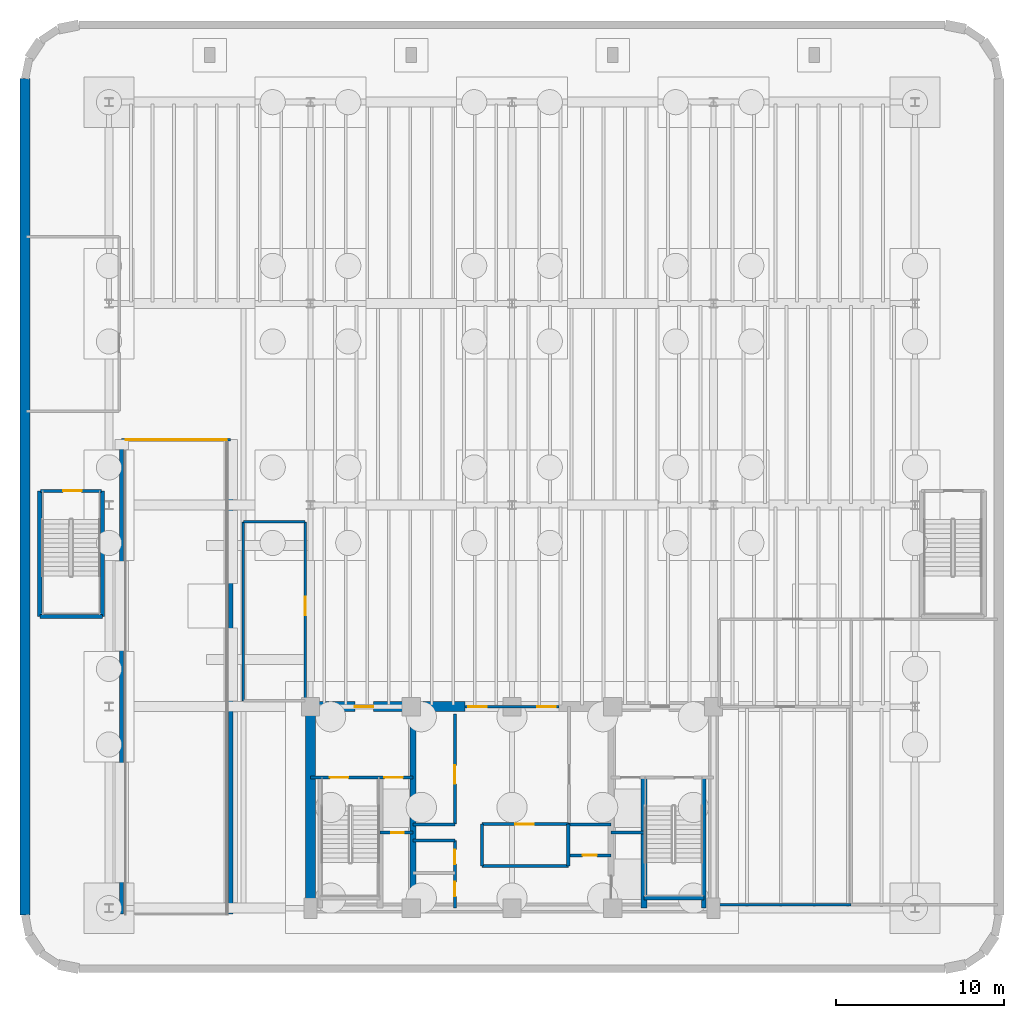
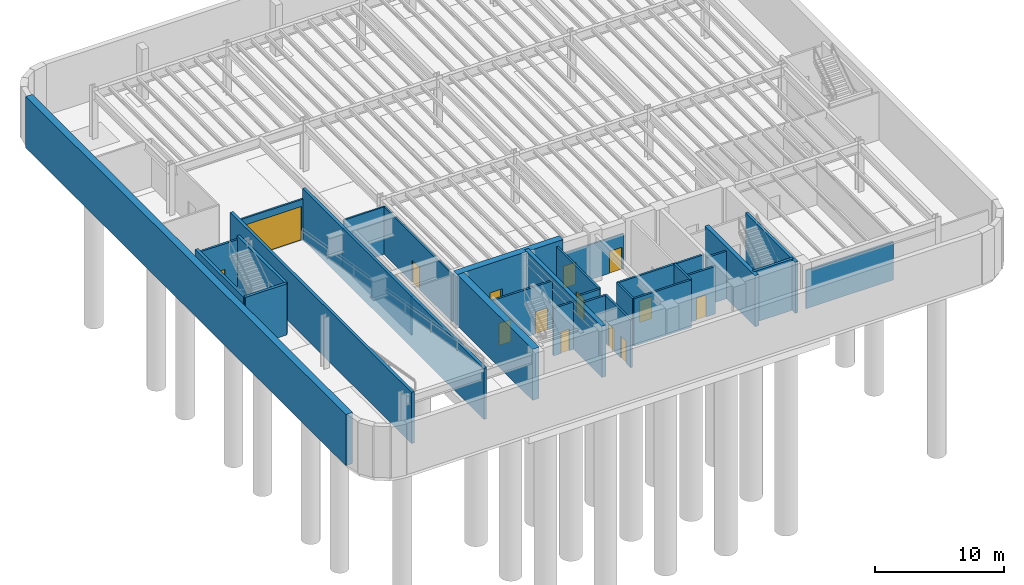
# One storey, part 4 of 9: 32 walls, 14 doors, 14 openings.
"""IFC4 building model written with IfcOpenShell, lengths in metres."""

from ifc_helpers import new_model, si_unit, direction, frame, frame_2d, origin, origin_2d, place, context, subcontext, project, spatial, rectangle, extrude, source, transform, mapped, material, layer, layer_set, type_object, element, fill, save


model = new_model("IFC4")

# Units and contexts
model_context = context("Model", 3, precision=1e-05, world=origin(), true_north=direction((0.0, 1.0)))
body_context = subcontext(model_context, "Body", "Model", "MODEL_VIEW")
ifc_project = project(units=[si_unit("LENGTHUNIT", "METRE"), si_unit("AREAUNIT", "SQUARE_METRE"), si_unit("VOLUMEUNIT", "CUBIC_METRE"), si_unit("PLANEANGLEUNIT", "RADIAN"), si_unit("MASSUNIT", "GRAM", prefix="KILO")], contexts=[model_context])

# Site, building, storey
site_placement = place(None, origin())
site = spatial("IfcSite", under=ifc_project, at=site_placement, CompositionType="ELEMENT")
building_placement = place(site_placement, origin())
building = spatial("IfcBuilding", under=site, at=building_placement, Name="Brelvock Crest Care Tower", CompositionType="ELEMENT")
storey_placement = place(building_placement, frame((0.0, 0.0, -4.860107421875)))
storey = spatial("IfcBuildingStorey", under=building, at=storey_placement, Name="B1", CompositionType="ELEMENT", Elevation=-4.860107421875)

# Wall
ifc_material_1 = material(Name="Concrete S80 (80 MPa)", Category="concrete")
ifc_layer_1 = layer(ifc_material_1, 0.60009765625, Name="WL-CS1")
ifc_layer_set_1 = layer_set([ifc_layer_1], Name="Concrete S80 (80 MPa)")
wall_type_1 = type_object("IfcWallType", Name="WL-CS1", PredefinedType="SHEAR", material=ifc_layer_set_1)
wall_1_placement = place(storey_placement, frame((24.0, 6.0, 0.0), z_axis=(0.0, 0.0, 1.0), x_axis=(0.0, 1.0, 0.0)))
element("IfcWall", 1, at=wall_1_placement, inside=storey, type_object=wall_type_1, Name="B1 Core West Shear Wall", PredefinedType="SHEAR", context=body_context, shape_type="SweptSolid", body=[
    extrude(rectangle(XDim=12.0, YDim=0.60009765625, at=frame_2d((6.0, 0.0))), origin(), (0.0, 0.0, 1.0), 4.860107421875),
])

# Wall, opening, door
wall_2_placement = place(storey_placement, frame((23.699951171875, 18.0, 0.0), z_axis=(0.0, 0.0, 1.0), x_axis=(1.0, 0.0, 0.0)))
wall_2 = element("IfcWall", 2, at=wall_2_placement, inside=storey, type_object=wall_type_1, Name="B1 Core North-West Shear Wall", PredefinedType="SHEAR", context=body_context, shape_type="SweptSolid", body=[
    extrude(rectangle(XDim=9.5, YDim=0.60009765625, at=frame_2d((4.75, 0.0))), origin(), (0.0, 0.0, 1.0), 4.860107421875),
])
opening_1_placement = place(wall_2_placement, frame((2.949951171875, 0.0, 0.0)))
opening_1 = element("IfcOpeningElement", 3, at=opening_1_placement, cuts=wall_2, Name="Opening FD-1", PredefinedType="OPENING", context=body_context, shape_type="SweptSolid", body=[
    extrude(rectangle(XDim=1.10009765625, YDim=2.10009765625, at=origin_2d()), frame((0.550048828125, 0.31005859375, 1.050048828125), z_axis=(0.0, -1.0, 0.0), x_axis=(1.0, 0.0, 0.0)), (0.0, 0.0, 1.0), 0.6201171875),
])
ifc_material_2 = material(Name="Steel Grade 350", Category="steel")
door_type_1 = type_object("IfcDoorType", Name="DR-FFL1", OperationType="NOTDEFINED", PredefinedType="DOOR", material=ifc_material_2)
shared_shape_1 = source(origin(), body_context, "Body", "SweptSolid", [
    extrude(rectangle(XDim=1.10009765625, YDim=2.10009765625, at=origin_2d()), frame((0.550048828125, 0.02490234375, 1.050048828125), z_axis=(0.0, -1.0, 0.0), x_axis=(1.0, 0.0, 0.0)), (0.0, 0.0, 1.0), 0.050048828125),
])
door_1_placement = place(opening_1_placement, origin())
door_1 = element("IfcDoor", 4, at=door_1_placement, inside=storey, type_object=door_type_1, Name="B1 Firefighting Lobby FFL-1 Exit Door", OperationType="SINGLE_SWING_LEFT", OverallHeight=2.10009765625, OverallWidth=1.10009765625, PredefinedType="DOOR", context=body_context, shape_type="MappedRepresentation", body=[
    mapped(shared_shape_1, transform((0.0, 0.0, 0.0), x_axis=(1.0, 0.0, 0.0), y_axis=(0.0, 1.0, 0.0), z_axis=(0.0, 0.0, 1.0), scale=1.0)),
])
fill(opening_1, door_1)

# Walls
ifc_layer_2 = layer(ifc_material_1, 0.35009765625, Name="WL-CS5")
ifc_layer_set_2 = layer_set([ifc_layer_2], Name="Concrete S80 (80 MPa)")
wall_type_2 = type_object("IfcWallType", Name="WL-CS5", PredefinedType="SHEAR", material=ifc_layer_set_2)
wall_3_placement = place(storey_placement, frame((30.10009765625, 6.0, 0.0), z_axis=(0.0, 0.0, 1.0), x_axis=(0.0, 1.0, 0.0)))
element("IfcWall", 5, at=wall_3_placement, inside=storey, type_object=wall_type_2, Name="B1 Core Internal Web Wall West", PredefinedType="SHEAR", context=body_context, shape_type="SweptSolid", body=[
    extrude(rectangle(XDim=12.0, YDim=0.35009765625, at=frame_2d((6.0, 0.0))), origin(), (0.0, 0.0, 1.0), 4.860107421875),
])
wall_4_placement = place(storey_placement, frame((43.85009765625, 6.0, 0.0), z_axis=(0.0, 0.0, 1.0), x_axis=(0.0, 1.0, 0.0)))
element("IfcWall", 6, at=wall_4_placement, inside=storey, type_object=wall_type_2, Name="B1 Core Stair ST-2 West Shear Wall", PredefinedType="SHEAR", context=body_context, shape_type="SweptSolid", body=[
    extrude(rectangle(XDim=7.780029296875, YDim=0.35009765625, at=frame_2d((3.89013671875, 0.0))), origin(), (0.0, 0.0, 1.0), 4.860107421875),
])
ifc_layer_3 = layer(ifc_material_1, 0.25, Name="WL-CS6")
ifc_layer_set_3 = layer_set([ifc_layer_3], Name="Concrete S80 (80 MPa)")
wall_type_3 = type_object("IfcWallType", Name="WL-CS6", PredefinedType="SHEAR", material=ifc_layer_set_3)
for number, where, z_axis, x_axis, name in (
    (7, (12.75, 5.639892578125, 0.0), (0.0, 0.0, 1.0), (0.0, 1.0, 0.0), "B1 Vehicle Ramp West Supporting Wall"),
    (8, (19.25, 5.639892578125, 0.0), (0.0, 0.0, 1.0), (0.0, 1.0, 0.0), "B1 Vehicle Ramp East Supporting Wall"),
):
    element("IfcWall", number, at=place(storey_placement, frame(where, z_axis=z_axis, x_axis=x_axis)), inside=storey, type_object=wall_type_3, Name=name, PredefinedType="SHEAR", context=body_context, shape_type="SweptSolid", body=[
        extrude(rectangle(XDim=28.210205078125, YDim=0.25, at=frame_2d((14.10498046875, 0.0))), origin(), (0.0, 0.0, 1.0), 4.860107421875),
    ])
wall_5_placement = place(storey_placement, frame((7.8798828125, 23.3798828125, 0.0), z_axis=(0.0, 0.0, 1.0), x_axis=(1.0, 0.0, 0.0)))
element("IfcWall", 9, at=wall_5_placement, inside=storey, type_object=wall_type_3, Name="B1 Podium Stair ST-3 South Shear Wall", PredefinedType="SHEAR", context=body_context, shape_type="SweptSolid", body=[
    extrude(rectangle(XDim=3.740234375, YDim=0.25, at=frame_2d((1.8701171875, 0.0))), origin(), (0.0, 0.0, 1.0), 4.860107421875),
])
for number, where, z_axis, x_axis, name in (
    (10, (7.8798828125, 23.3798828125, 0.0), (0.0, 0.0, 1.0), (0.0, 1.0, 0.0), "B1 Podium Stair ST-3 West Shear Wall"),
    (11, (11.6201171875, 23.3798828125, 0.0), (0.0, 0.0, 1.0), (0.0, 1.0, 0.0), "B1 Podium Stair ST-3 East Shear Wall"),
):
    element("IfcWall", number, at=place(storey_placement, frame(where, z_axis=z_axis, x_axis=x_axis)), inside=storey, type_object=wall_type_3, Name=name, PredefinedType="SHEAR", context=body_context, shape_type="SweptSolid", body=[
        extrude(rectangle(XDim=7.47021484375, YDim=0.25, at=frame_2d((3.735107421875, 0.0))), origin(), (0.0, 0.0, 1.0), 4.860107421875),
    ])
wall_6_placement = place(storey_placement, frame((47.419921875, 6.0, 0.0), z_axis=(0.0, 0.0, 1.0), x_axis=(0.0, 1.0, 0.0)))
element("IfcWall", 12, at=wall_6_placement, inside=storey, type_object=wall_type_3, Name="B1 Core Stair ST-2 East Shear Wall", PredefinedType="SHEAR", context=body_context, shape_type="SweptSolid", body=[
    extrude(rectangle(XDim=7.780029296875, YDim=0.25, at=frame_2d((3.89013671875, 0.0))), origin(), (0.0, 0.0, 1.0), 4.860107421875),
])
wall_7_placement = place(storey_placement, frame((43.85009765625, 6.6201171875, 0.0), z_axis=(0.0, 0.0, 1.0), x_axis=(1.0, 0.0, 0.0)))
element("IfcWall", 13, at=wall_7_placement, inside=storey, type_object=wall_type_3, Name="B1 Core Stair ST-2 South Shear Wall", PredefinedType="SHEAR", context=body_context, shape_type="SweptSolid", body=[
    extrude(rectangle(XDim=3.56982421875, YDim=0.25, at=frame_2d((1.784912109375, 0.0))), origin(), (0.0, 0.0, 1.0), 4.860107421875),
])

# Wall, opening, door
ifc_material_3 = material(Name="Masonry Blockwork Acoustic Partition", Category="masonry")
ifc_layer_4 = layer(ifc_material_3, 0.14990234375, Name="WL-INT1")
ifc_layer_set_4 = layer_set([ifc_layer_4], Name="Masonry Blockwork Acoustic Partition")
wall_type_4 = type_object("IfcWallType", Name="WL-INT1", PredefinedType="PARTITIONING", material=ifc_layer_set_4)
wall_8_placement = place(storey_placement, frame((12.75, 33.89990234375, 0.0), z_axis=(0.0, 0.0, 1.0), x_axis=(1.0, 0.0, 0.0)))
wall_8 = element("IfcWall", 14, at=wall_8_placement, inside=storey, type_object=wall_type_4, Name="B1 Car Park Ramp Entry Portal Wall", PredefinedType="PARTITIONING", context=body_context, shape_type="SweptSolid", body=[
    extrude(rectangle(XDim=6.5, YDim=0.159912109375, at=frame_2d((3.25, 0.0))), origin(), (0.0, 0.0, 1.0), 3.85009765625),
])
opening_2_placement = place(wall_8_placement, frame((0.25, 0.0, 0.0)))
opening_2 = element("IfcOpeningElement", 15, at=opening_2_placement, cuts=wall_8, Name="Opening VD2", PredefinedType="OPENING", context=body_context, shape_type="SweptSolid", body=[
    extrude(rectangle(XDim=6.0, YDim=3.199951171875, at=origin_2d()), frame((3.0, 0.08984375, 1.60009765625), z_axis=(0.0, -1.0, 0.0), x_axis=(1.0, 0.0, 0.0)), (0.0, 0.0, 1.0), 0.179931640625),
])
ifc_material_4 = material(Name="Aluminium 6063-T6", Category="aluminium")
door_type_2 = type_object("IfcDoorType", Name="DR-VD2", OperationType="NOTDEFINED", PredefinedType="GATE", material=ifc_material_4)
shared_shape_2 = source(origin(), body_context, "Body", "SweptSolid", [
    extrude(rectangle(XDim=6.0, YDim=3.199951171875, at=origin_2d()), frame((3.0, 0.02490234375, 1.60009765625), z_axis=(0.0, -1.0, 0.0), x_axis=(1.0, 0.0, 0.0)), (0.0, 0.0, 1.0), 0.050048828125),
])
door_2_placement = place(opening_2_placement, origin())
door_2 = element("IfcDoor", 16, at=door_2_placement, inside=storey, type_object=door_type_2, Name="B1 Car Park Entry Roller Shutter Gate VD2", OperationType="ROLLINGUP", OverallHeight=3.199951171875, OverallWidth=6.0, PredefinedType="GATE", context=body_context, shape_type="MappedRepresentation", body=[
    mapped(shared_shape_2, transform((0.0, 0.0, 0.0), x_axis=(1.0, 0.0, 0.0), y_axis=(0.0, 1.0, 0.0), z_axis=(0.0, 0.0, 1.0), scale=1.0)),
])
fill(opening_2, door_2)

# Wall, openings, doors
wall_9_placement = place(storey_placement, frame((33.199951171875, 18.0, 0.0), z_axis=(0.0, 0.0, 1.0), x_axis=(1.0, 0.0, 0.0)))
wall_9 = element("IfcWall", 17, at=wall_9_placement, inside=storey, type_object=wall_type_4, Name="B1 Interior Wall WL-CORE-NPORT-B1", PredefinedType="PARTITIONING", context=body_context, shape_type="SweptSolid", body=[
    extrude(rectangle(XDim=5.60009765625, YDim=0.14990234375, at=frame_2d((2.800048828125, 0.0))), origin(), (0.0, 0.0, 1.0), 3.3251953125),
])
opening_3_placement = place(wall_9_placement, frame((0.18994140625, 0.0, 0.0)))
opening_3 = element("IfcOpeningElement", 18, at=opening_3_placement, cuts=wall_9, Name="Opening FD-1", PredefinedType="OPENING", context=body_context, shape_type="SweptSolid", body=[
    extrude(rectangle(XDim=1.10009765625, YDim=2.10009765625, at=origin_2d()), frame((0.550048828125, 0.0849609375, 1.050048828125), z_axis=(0.0, -1.0, 0.0), x_axis=(1.0, 0.0, 0.0)), (0.0, 0.0, 1.0), 0.169921875),
])
opening_4_placement = place(wall_9_placement, frame((4.31005859375, 0.0, 0.0)))
opening_4 = element("IfcOpeningElement", 19, at=opening_4_placement, cuts=wall_9, Name="Opening FD-1", PredefinedType="OPENING", context=body_context, shape_type="SweptSolid", body=[
    extrude(rectangle(XDim=1.10009765625, YDim=2.10009765625, at=origin_2d()), frame((0.550048828125, 0.0849609375, 1.050048828125), z_axis=(0.0, -1.0, 0.0), x_axis=(1.0, 0.0, 0.0)), (0.0, 0.0, 1.0), 0.169921875),
])
door_3_placement = place(opening_3_placement, origin())
door_3 = element("IfcDoor", 20, at=door_3_placement, inside=storey, type_object=door_type_1, Name="B1 Lift Lobby North Smoke Door West", OperationType="SINGLE_SWING_LEFT", OverallHeight=2.10009765625, OverallWidth=1.10009765625, PredefinedType="DOOR", context=body_context, shape_type="MappedRepresentation", body=[
    mapped(shared_shape_1, transform((0.0, 0.0, 0.0), x_axis=(1.0, 0.0, 0.0), y_axis=(0.0, 1.0, 0.0), z_axis=(0.0, 0.0, 1.0), scale=1.0)),
])
fill(opening_3, door_3)
door_4_placement = place(opening_4_placement, origin())
door_4 = element("IfcDoor", 21, at=door_4_placement, inside=storey, type_object=door_type_1, Name="B1 Lift Lobby North Smoke Door East", OperationType="SINGLE_SWING_RIGHT", OverallHeight=2.10009765625, OverallWidth=1.10009765625, PredefinedType="DOOR", context=body_context, shape_type="MappedRepresentation", body=[
    mapped(shared_shape_1, transform((0.0, 0.0, 0.0), x_axis=(1.0, 0.0, 0.0), y_axis=(0.0, 1.0, 0.0), z_axis=(0.0, 0.0, 1.0), scale=1.0)),
])
fill(opening_4, door_4)

# Walls
wall_10_placement = place(storey_placement, frame((48.35009765625, 6.199951171875, 0.0), z_axis=(0.0, 0.0, 1.0), x_axis=(1.0, 0.0, 0.0)))
element("IfcWall", 22, at=wall_10_placement, inside=storey, type_object=wall_type_4, Name="B1 Interior Wall WL-BX-B1-B1-SWB-S", PredefinedType="PARTITIONING", context=body_context, shape_type="SweptSolid", body=[
    extrude(rectangle(XDim=7.849853515625, YDim=0.14990234375, at=frame_2d((3.9248046875, 0.0))), origin(), (0.0, 0.0, 1.0), 3.625),
])
wall_11_placement = place(storey_placement, frame((20.0, 29.0, 0.0), z_axis=(0.0, 0.0, 1.0), x_axis=(1.0, 0.0, 0.0)))
element("IfcWall", 23, at=wall_11_placement, inside=storey, type_object=wall_type_4, Name="B1 Interior Wall WL-BX-B1-B1-CYC-N", PredefinedType="PARTITIONING", context=body_context, shape_type="SweptSolid", body=[
    extrude(rectangle(XDim=3.679931640625, YDim=0.14990234375, at=frame_2d((1.83984375, 0.0))), origin(), (0.0, 0.0, 1.0), 4.510009765625),
])
wall_12_placement = place(storey_placement, frame((20.0, 18.35009765625, 0.0), z_axis=(0.0, 0.0, 1.0), x_axis=(0.0, 1.0, 0.0)))
element("IfcWall", 24, at=wall_12_placement, inside=storey, type_object=wall_type_4, Name="B1 Interior Wall WL-BX-B1-B1-CYC-W", PredefinedType="PARTITIONING", context=body_context, shape_type="SweptSolid", body=[
    extrude(rectangle(XDim=10.64990234375, YDim=0.14990234375, at=frame_2d((5.324951171875, 0.0))), origin(), (0.0, 0.0, 1.0), 3.72509765625),
])

# Wall, opening, door
wall_13_placement = place(storey_placement, frame((23.679931640625, 18.35009765625, 0.0), z_axis=(0.0, 0.0, 1.0), x_axis=(0.0, 1.0, 0.0)))
wall_13 = element("IfcWall", 25, at=wall_13_placement, inside=storey, type_object=wall_type_4, Name="B1 Interior Wall WL-RM-B1-B1-CYC", PredefinedType="PARTITIONING", context=body_context, shape_type="SweptSolid", body=[
    extrude(rectangle(XDim=10.64990234375, YDim=0.14990234375, at=frame_2d((5.324951171875, 0.0))), origin(), (0.0, 0.0, 1.0), 4.510009765625),
])
opening_5_placement = place(wall_13_placement, frame((5.10009765625, 0.0, 0.0)))
opening_5 = element("IfcOpeningElement", 26, at=opening_5_placement, cuts=wall_13, Name="Opening PD-1", PredefinedType="OPENING", context=body_context, shape_type="SweptSolid", body=[
    extrude(rectangle(XDim=1.10009765625, YDim=2.10009765625, at=origin_2d()), frame((0.550048828125, 0.0849609375, 1.050048828125), z_axis=(0.0, -1.0, 0.0), x_axis=(1.0, 0.0, 0.0)), (0.0, 0.0, 1.0), 0.169921875),
])
door_type_3 = type_object("IfcDoorType", Name="DR-PLT1", OperationType="NOTDEFINED", PredefinedType="DOOR", material=ifc_material_2)
shared_shape_3 = source(origin(), body_context, "Body", "SweptSolid", [
    extrude(rectangle(XDim=1.10009765625, YDim=2.10009765625, at=origin_2d()), frame((0.550048828125, 0.02490234375, 1.050048828125), z_axis=(0.0, -1.0, 0.0), x_axis=(1.0, 0.0, 0.0)), (0.0, 0.0, 1.0), 0.050048828125),
])
door_5_placement = place(opening_5_placement, origin())
door_5 = element("IfcDoor", 27, at=door_5_placement, inside=storey, type_object=door_type_3, Name="B1 Staff End-of-Trip Bicycle Store and Showers Door B1-CYC", OperationType="SINGLE_SWING_LEFT", OverallHeight=2.10009765625, OverallWidth=1.10009765625, PredefinedType="DOOR", context=body_context, shape_type="MappedRepresentation", body=[
    mapped(shared_shape_3, transform((0.0, 0.0, 0.0), x_axis=(1.0, 0.0, 0.0), y_axis=(0.0, 1.0, 0.0), z_axis=(0.0, 0.0, 1.0), scale=1.0)),
])
fill(opening_5, door_5)

# Wall
ifc_material_5 = material(Name="Concrete N50 (50 MPa)", Category="concrete")
ifc_layer_5 = layer(ifc_material_5, 0.60009765625, Name="WL-RT1")
ifc_layer_set_5 = layer_set([ifc_layer_5], Name="Concrete N50 (50 MPa)")
wall_type_5 = type_object("IfcWallType", Name="WL-RT1", PredefinedType="USERDEFINED", material=ifc_layer_set_5)
wall_14_placement = place(storey_placement, frame((7.0, 5.60009765625, 0.0), z_axis=(0.0, 0.0, 1.0), x_axis=(0.0, 1.0, 0.0)))
element("IfcWall", 28, at=wall_14_placement, inside=storey, type_object=wall_type_5, Name="B1 Basement Retaining Wall 04", ObjectType="RETAININGWALL", PredefinedType="USERDEFINED", context=body_context, shape_type="SweptSolid", body=[
    extrude(rectangle(XDim=49.7998046875, YDim=0.60009765625, at=frame_2d((24.89990234375, 0.0))), origin(), (0.0, 0.0, 1.0), 4.860107421875),
])

# Wall, opening, door
ifc_layer_6 = layer(ifc_material_3, 0.179931640625, Name="WL-SHF1")
ifc_layer_set_6 = layer_set([ifc_layer_6], Name="Masonry Blockwork Acoustic Partition")
wall_type_6 = type_object("IfcWallType", Name="WL-SHF1", PredefinedType="PARTITIONING", material=ifc_layer_set_6)
wall_15_placement = place(storey_placement, frame((7.919921875, 30.85009765625, 0.0), z_axis=(0.0, 0.0, 1.0), x_axis=(1.0, 0.0, 0.0)))
wall_15 = element("IfcWall", 29, at=wall_15_placement, inside=storey, type_object=wall_type_6, Name="B1 Interior Wall WL-ST3-N-B1", PredefinedType="PARTITIONING", context=body_context, shape_type="SweptSolid", body=[
    extrude(rectangle(XDim=3.630126953125, YDim=0.179931640625, at=frame_2d((1.81494140625, 0.0))), origin(), (0.0, 0.0, 1.0), 4.5400390625),
])
opening_6_placement = place(wall_15_placement, frame((1.35009765625, 0.0, 0.0)))
opening_6 = element("IfcOpeningElement", 30, at=opening_6_placement, cuts=wall_15, Name="Opening SD-1", PredefinedType="OPENING", context=body_context, shape_type="SweptSolid", body=[
    extrude(rectangle(XDim=1.10009765625, YDim=2.10009765625, at=origin_2d()), frame((0.550048828125, 0.10009765625, 1.050048828125), z_axis=(0.0, -1.0, 0.0), x_axis=(1.0, 0.0, 0.0)), (0.0, 0.0, 1.0), 0.199951171875),
])
door_type_4 = type_object("IfcDoorType", Name="DR-ST1", OperationType="NOTDEFINED", PredefinedType="DOOR", material=ifc_material_2)
shared_shape_4 = source(origin(), body_context, "Body", "SweptSolid", [
    extrude(rectangle(XDim=1.10009765625, YDim=2.10009765625, at=origin_2d()), frame((0.550048828125, 0.02490234375, 1.050048828125), z_axis=(0.0, -1.0, 0.0), x_axis=(1.0, 0.0, 0.0)), (0.0, 0.0, 1.0), 0.050048828125),
])
door_6_placement = place(opening_6_placement, origin())
door_6 = element("IfcDoor", 31, at=door_6_placement, inside=storey, type_object=door_type_4, Name="B1 Podium Stair ST-3 Door", OperationType="SINGLE_SWING_LEFT", OverallHeight=2.10009765625, OverallWidth=1.10009765625, PredefinedType="DOOR", context=body_context, shape_type="MappedRepresentation", body=[
    mapped(shared_shape_4, transform((0.0, 0.0, 0.0), x_axis=(1.0, 0.0, 0.0), y_axis=(0.0, 1.0, 0.0), z_axis=(0.0, 0.0, 1.0), scale=1.0)),
])
fill(opening_6, door_6)

wall_16_placement = place(storey_placement, frame((32.60009765625, 11.0, 0.0), z_axis=(0.0, 0.0, 1.0), x_axis=(0.0, 1.0, 0.0)))
wall_16 = element("IfcWall", 32, at=wall_16_placement, inside=storey, type_object=wall_type_6, Name="B1 Interior Wall WL-CRCL-E-B1", PredefinedType="PARTITIONING", context=body_context, shape_type="SweptSolid", body=[
    extrude(rectangle(XDim=6.550048828125, YDim=0.179931640625, at=frame_2d((3.27490234375, 0.0))), origin(), (0.0, 0.0, 1.0), 4.510009765625),
])
opening_7_placement = place(wall_16_placement, frame((2.39990234375, 0.0, 0.0)))
opening_7 = element("IfcOpeningElement", 33, at=opening_7_placement, cuts=wall_16, Name="Opening PD-1", PredefinedType="OPENING", context=body_context, shape_type="SweptSolid", body=[
    extrude(rectangle(XDim=1.10009765625, YDim=2.10009765625, at=origin_2d()), frame((0.550048828125, 0.10009765625, 1.050048828125), z_axis=(0.0, -1.0, 0.0), x_axis=(1.0, 0.0, 0.0)), (0.0, 0.0, 1.0), 0.199951171875),
])
door_7_placement = place(opening_7_placement, origin())
door_7 = element("IfcDoor", 34, at=door_7_placement, inside=storey, type_object=door_type_3, Name="DR-CRCL1-B1", OperationType="SINGLE_SWING_LEFT", OverallHeight=2.10009765625, OverallWidth=1.10009765625, PredefinedType="DOOR", context=body_context, shape_type="MappedRepresentation", body=[
    mapped(shared_shape_3, transform((0.0, 0.0, 0.0), x_axis=(1.0, 0.0, 0.0), y_axis=(0.0, 1.0, 0.0), z_axis=(0.0, 0.0, 1.0), scale=1.0)),
])
fill(opening_7, door_7)

wall_17_placement = place(storey_placement, frame((34.199951171875, 11.0, 0.0), z_axis=(0.0, 0.0, 1.0), x_axis=(1.0, 0.0, 0.0)))
wall_17 = element("IfcWall", 35, at=wall_17_placement, inside=storey, type_object=wall_type_6, Name="B1 Interior Wall WL-CRCM-N-B1", PredefinedType="PARTITIONING", context=body_context, shape_type="SweptSolid", body=[
    extrude(rectangle(XDim=5.150146484375, YDim=0.179931640625, at=frame_2d((2.5751953125, 0.0))), origin(), (0.0, 0.0, 1.0), 4.510009765625),
])
opening_8_placement = place(wall_17_placement, frame((2.0, 0.0, 0.0)))
opening_8 = element("IfcOpeningElement", 36, at=opening_8_placement, cuts=wall_17, Name="Opening PD-1", PredefinedType="OPENING", context=body_context, shape_type="SweptSolid", body=[
    extrude(rectangle(XDim=1.10009765625, YDim=2.10009765625, at=origin_2d()), frame((0.550048828125, 0.10009765625, 1.050048828125), z_axis=(0.0, -1.0, 0.0), x_axis=(1.0, 0.0, 0.0)), (0.0, 0.0, 1.0), 0.199951171875),
])
door_8_placement = place(opening_8_placement, origin())
door_8 = element("IfcDoor", 37, at=door_8_placement, inside=storey, type_object=door_type_3, Name="DR-CRCM1-B1", OperationType="SINGLE_SWING_LEFT", OverallHeight=2.10009765625, OverallWidth=1.10009765625, PredefinedType="DOOR", context=body_context, shape_type="MappedRepresentation", body=[
    mapped(shared_shape_3, transform((0.0, 0.0, 0.0), x_axis=(1.0, 0.0, 0.0), y_axis=(0.0, 1.0, 0.0), z_axis=(0.0, 0.0, 1.0), scale=1.0)),
])
fill(opening_8, door_8)

# Walls
wall_18_placement = place(storey_placement, frame((34.199951171875, 8.5, 0.0), z_axis=(0.0, 0.0, 1.0), x_axis=(1.0, 0.0, 0.0)))
element("IfcWall", 38, at=wall_18_placement, inside=storey, type_object=wall_type_6, Name="B1 Interior Wall WL-CRCM-S-B1", PredefinedType="PARTITIONING", context=body_context, shape_type="SweptSolid", body=[
    extrude(rectangle(XDim=5.150146484375, YDim=0.179931640625, at=frame_2d((2.5751953125, 0.0))), origin(), (0.0, 0.0, 1.0), 4.510009765625),
])
for number, where, z_axis, x_axis, name in (
    (39, (34.199951171875, 8.5, 0.0), (0.0, 0.0, 1.0), (0.0, 1.0, 0.0), "B1 Interior Wall WL-CRCM-W-B1"),
    (40, (39.35009765625, 8.5, 0.0), (0.0, 0.0, 1.0), (0.0, 1.0, 0.0), "B1 Interior Wall WL-CRCM-E-B1"),
    (41, (30.10009765625, 10.97998046875, 0.0), (0.0, 0.0, 1.0), (1.0, 0.0, 0.0), "B1 Interior Wall WL-CSBW-N-B1"),
):
    element("IfcWall", number, at=place(storey_placement, frame(where, z_axis=z_axis, x_axis=x_axis)), inside=storey, type_object=wall_type_6, Name=name, PredefinedType="PARTITIONING", context=body_context, shape_type="SweptSolid", body=[
        extrude(rectangle(XDim=2.5, YDim=0.179931640625, at=frame_2d((1.25, 0.0))), origin(), (0.0, 0.0, 1.0), 4.510009765625),
    ])
wall_19_placement = place(storey_placement, frame((39.35009765625, 10.97998046875, 0.0), z_axis=(0.0, 0.0, 1.0), x_axis=(1.0, 0.0, 0.0)))
element("IfcWall", 42, at=wall_19_placement, inside=storey, type_object=wall_type_6, Name="B1 Interior Wall WL-CSBE-N-B1", PredefinedType="PARTITIONING", context=body_context, shape_type="SweptSolid", body=[
    extrude(rectangle(XDim=2.5498046875, YDim=0.179931640625, at=frame_2d((1.27490234375, 0.0))), origin(), (0.0, 0.0, 1.0), 4.510009765625),
])
wall_20_placement = place(storey_placement, frame((30.10009765625, 10.02001953125, 0.0), z_axis=(0.0, 0.0, 1.0), x_axis=(1.0, 0.0, 0.0)))
element("IfcWall", 43, at=wall_20_placement, inside=storey, type_object=wall_type_6, Name="B1 Interior Wall WL-CSBW-N2-B1", PredefinedType="PARTITIONING", context=body_context, shape_type="SweptSolid", body=[
    extrude(rectangle(XDim=2.5, YDim=0.179931640625, at=frame_2d((1.25, 0.0))), origin(), (0.0, 0.0, 1.0), 4.510009765625),
])

# Wall, openings, doors
wall_21_placement = place(storey_placement, frame((32.60009765625, 6.0, 0.0), z_axis=(0.0, 0.0, 1.0), x_axis=(0.0, 1.0, 0.0)))
wall_21 = element("IfcWall", 44, at=wall_21_placement, inside=storey, type_object=wall_type_6, Name="B1 Interior Wall WL-CSBW-E-B1", PredefinedType="PARTITIONING", context=body_context, shape_type="SweptSolid", body=[
    extrude(rectangle(XDim=4.02001953125, YDim=0.179931640625, at=frame_2d((2.010009765625, 0.0))), origin(), (0.0, 0.0, 1.0), 4.510009765625),
])
opening_9_placement = place(wall_21_placement, frame((0.699951171875, 0.0, 0.0)))
opening_9 = element("IfcOpeningElement", 45, at=opening_9_placement, cuts=wall_21, Name="Opening ID-1", PredefinedType="OPENING", context=body_context, shape_type="SweptSolid", body=[
    extrude(rectangle(XDim=0.860107421875, YDim=2.10009765625, at=origin_2d()), frame((0.43017578125, 0.10009765625, 1.050048828125), z_axis=(0.0, -1.0, 0.0), x_axis=(1.0, 0.0, 0.0)), (0.0, 0.0, 1.0), 0.199951171875),
])
opening_10_placement = place(wall_21_placement, frame((2.6201171875, 0.0, 0.0)))
opening_10 = element("IfcOpeningElement", 46, at=opening_10_placement, cuts=wall_21, Name="Opening ID-1", PredefinedType="OPENING", context=body_context, shape_type="SweptSolid", body=[
    extrude(rectangle(XDim=0.860107421875, YDim=2.10009765625, at=origin_2d()), frame((0.43017578125, 0.10009765625, 1.050048828125), z_axis=(0.0, -1.0, 0.0), x_axis=(1.0, 0.0, 0.0)), (0.0, 0.0, 1.0), 0.199951171875),
])
ifc_material_6 = material(Name="Engineered Hardwood Timber", Category="wood")
door_type_5 = type_object("IfcDoorType", Name="DR-INT1", OperationType="NOTDEFINED", PredefinedType="DOOR", material=ifc_material_6)
shared_shape_5 = source(origin(), body_context, "Body", "SweptSolid", [
    extrude(rectangle(XDim=0.860107421875, YDim=2.10009765625, at=origin_2d()), frame((0.43017578125, 0.02490234375, 1.050048828125), z_axis=(0.0, -1.0, 0.0), x_axis=(1.0, 0.0, 0.0)), (0.0, 0.0, 1.0), 0.050048828125),
])
door_9_placement = place(opening_9_placement, origin())
door_9 = element("IfcDoor", 47, at=door_9_placement, inside=storey, type_object=door_type_5, Name="DR-CSBW1-B1", OperationType="SINGLE_SWING_LEFT", OverallHeight=2.10009765625, OverallWidth=0.860107421875, PredefinedType="DOOR", context=body_context, shape_type="MappedRepresentation", body=[
    mapped(shared_shape_5, transform((0.0, 0.0, 0.0), x_axis=(1.0, 0.0, 0.0), y_axis=(0.0, 1.0, 0.0), z_axis=(0.0, 0.0, 1.0), scale=1.0)),
])
fill(opening_9, door_9)
door_10_placement = place(opening_10_placement, origin())
door_10 = element("IfcDoor", 48, at=door_10_placement, inside=storey, type_object=door_type_5, Name="DR-CSBW2-B1", OperationType="SINGLE_SWING_RIGHT", OverallHeight=2.10009765625, OverallWidth=0.860107421875, PredefinedType="DOOR", context=body_context, shape_type="MappedRepresentation", body=[
    mapped(shared_shape_5, transform((0.0, 0.0, 0.0), x_axis=(1.0, 0.0, 0.0), y_axis=(0.0, 1.0, 0.0), z_axis=(0.0, 0.0, 1.0), scale=1.0)),
])
fill(opening_10, door_10)

# Wall, opening, door
wall_22_placement = place(storey_placement, frame((39.35009765625, 9.14990234375, 0.0), z_axis=(0.0, 0.0, 1.0), x_axis=(1.0, 0.0, 0.0)))
wall_22 = element("IfcWall", 49, at=wall_22_placement, inside=storey, type_object=wall_type_6, Name="B1 Interior Wall WL-CSBE-S-B1", PredefinedType="PARTITIONING", context=body_context, shape_type="SweptSolid", body=[
    extrude(rectangle(XDim=2.5498046875, YDim=0.179931640625, at=frame_2d((1.27490234375, 0.0))), origin(), (0.0, 0.0, 1.0), 4.510009765625),
])
opening_11_placement = place(wall_22_placement, frame((0.85009765625, 0.0, 0.0)))
opening_11 = element("IfcOpeningElement", 50, at=opening_11_placement, cuts=wall_22, Name="Opening ID-1", PredefinedType="OPENING", context=body_context, shape_type="SweptSolid", body=[
    extrude(rectangle(XDim=0.860107421875, YDim=2.10009765625, at=origin_2d()), frame((0.43017578125, 0.10009765625, 1.050048828125), z_axis=(0.0, -1.0, 0.0), x_axis=(1.0, 0.0, 0.0)), (0.0, 0.0, 1.0), 0.199951171875),
])
door_11_placement = place(opening_11_placement, origin())
door_11 = element("IfcDoor", 51, at=door_11_placement, inside=storey, type_object=door_type_5, Name="DR-CSBE-B1", OperationType="SINGLE_SWING_LEFT", OverallHeight=2.10009765625, OverallWidth=0.860107421875, PredefinedType="DOOR", context=body_context, shape_type="MappedRepresentation", body=[
    mapped(shared_shape_5, transform((0.0, 0.0, 0.0), x_axis=(1.0, 0.0, 0.0), y_axis=(0.0, 1.0, 0.0), z_axis=(0.0, 0.0, 1.0), scale=1.0)),
])
fill(opening_11, door_11)

# Wall, openings, doors
wall_23_placement = place(storey_placement, frame((24.0, 13.780029296875, 0.0), z_axis=(0.0, 0.0, 1.0), x_axis=(1.0, 0.0, 0.0)))
wall_23 = element("IfcWall", 52, at=wall_23_placement, inside=storey, type_object=wall_type_6, Name="B1 Interior Wall WL-ST1-N-B1", PredefinedType="PARTITIONING", context=body_context, shape_type="SweptSolid", body=[
    extrude(rectangle(XDim=6.10009765625, YDim=0.179931640625, at=frame_2d((3.050048828125, 0.0))), origin(), (0.0, 0.0, 1.0), 4.510009765625),
])
opening_12_placement = place(wall_23_placement, frame((1.14990234375, 0.0, 0.0)))
opening_12 = element("IfcOpeningElement", 53, at=opening_12_placement, cuts=wall_23, Name="Opening SD-1", PredefinedType="OPENING", context=body_context, shape_type="SweptSolid", body=[
    extrude(rectangle(XDim=1.10009765625, YDim=2.10009765625, at=origin_2d()), frame((0.550048828125, 0.10009765625, 1.050048828125), z_axis=(0.0, -1.0, 0.0), x_axis=(1.0, 0.0, 0.0)), (0.0, 0.0, 1.0), 0.199951171875),
])
opening_13_placement = place(wall_23_placement, frame((4.39990234375, 0.0, 0.0)))
opening_13 = element("IfcOpeningElement", 54, at=opening_13_placement, cuts=wall_23, Name="Opening LD", PredefinedType="OPENING", context=body_context, shape_type="SweptSolid", body=[
    extrude(rectangle(XDim=1.10009765625, YDim=2.10009765625, at=origin_2d()), frame((0.550048828125, 0.10009765625, 1.050048828125), z_axis=(0.0, -1.0, 0.0), x_axis=(1.0, 0.0, 0.0)), (0.0, 0.0, 1.0), 0.199951171875),
])
door_12_placement = place(opening_12_placement, origin())
door_12 = element("IfcDoor", 55, at=door_12_placement, inside=storey, type_object=door_type_4, Name="B1 Fire Stair ST-1 Door", OperationType="SINGLE_SWING_RIGHT", OverallHeight=2.10009765625, OverallWidth=1.10009765625, PredefinedType="DOOR", context=body_context, shape_type="MappedRepresentation", body=[
    mapped(shared_shape_4, transform((0.0, 0.0, 0.0), x_axis=(1.0, 0.0, 0.0), y_axis=(0.0, 1.0, 0.0), z_axis=(0.0, 0.0, 1.0), scale=1.0)),
])
fill(opening_12, door_12)
door_type_6 = type_object("IfcDoorType", Name="DR-LD1", OperationType="NOTDEFINED", PredefinedType="DOOR", material=ifc_material_2)
shared_shape_6 = source(origin(), body_context, "Body", "SweptSolid", [
    extrude(rectangle(XDim=1.10009765625, YDim=2.10009765625, at=origin_2d()), frame((0.550048828125, 0.02490234375, 1.050048828125), z_axis=(0.0, -1.0, 0.0), x_axis=(1.0, 0.0, 0.0)), (0.0, 0.0, 1.0), 0.050048828125),
])
door_13_placement = place(opening_13_placement, origin())
door_13 = element("IfcDoor", 56, at=door_13_placement, inside=storey, type_object=door_type_6, Name="B1 Firefighting Lift FFL-1 Landing Door", OperationType="SLIDING_TO_LEFT", OverallHeight=2.10009765625, OverallWidth=1.10009765625, PredefinedType="DOOR", context=body_context, shape_type="MappedRepresentation", body=[
    mapped(shared_shape_6, transform((0.0, 0.0, 0.0), x_axis=(1.0, 0.0, 0.0), y_axis=(0.0, 1.0, 0.0), z_axis=(0.0, 0.0, 1.0), scale=1.0)),
])
fill(opening_13, door_13)

# Wall, opening, door
wall_24_placement = place(storey_placement, frame((28.14990234375, 10.5, 0.0), z_axis=(0.0, 0.0, 1.0), x_axis=(1.0, 0.0, 0.0)))
wall_24 = element("IfcWall", 57, at=wall_24_placement, inside=storey, type_object=wall_type_6, Name="B1 Interior Wall WL-FFH1-S-B1", PredefinedType="PARTITIONING", context=body_context, shape_type="SweptSolid", body=[
    extrude(rectangle(XDim=1.9501953125, YDim=0.179931640625, at=frame_2d((0.97509765625, 0.0))), origin(), (0.0, 0.0, 1.0), 4.510009765625),
])
opening_14_placement = place(wall_24_placement, frame((0.64990234375, 0.0, 0.0)))
opening_14 = element("IfcOpeningElement", 58, at=opening_14_placement, cuts=wall_24, Name="Opening RD-1", PredefinedType="OPENING", context=body_context, shape_type="SweptSolid", body=[
    extrude(rectangle(XDim=0.760009765625, YDim=2.050048828125, at=origin_2d()), frame((0.3798828125, 0.10009765625, 1.02490234375), z_axis=(0.0, -1.0, 0.0), x_axis=(1.0, 0.0, 0.0)), (0.0, 0.0, 1.0), 0.199951171875),
])
door_type_7 = type_object("IfcDoorType", Name="DR-RIS1", OperationType="NOTDEFINED", PredefinedType="DOOR", material=ifc_material_2)
shared_shape_7 = source(origin(), body_context, "Body", "SweptSolid", [
    extrude(rectangle(XDim=0.760009765625, YDim=2.050048828125, at=origin_2d()), frame((0.3798828125, 0.02490234375, 1.02490234375), z_axis=(0.0, -1.0, 0.0), x_axis=(1.0, 0.0, 0.0)), (0.0, 0.0, 1.0), 0.050048828125),
])
door_14_placement = place(opening_14_placement, origin())
door_14 = element("IfcDoor", 59, at=door_14_placement, inside=storey, type_object=door_type_7, Name="B1 Wet Fire Riser Access Door", OperationType="SINGLE_SWING_LEFT", OverallHeight=2.050048828125, OverallWidth=0.760009765625, PredefinedType="DOOR", context=body_context, shape_type="MappedRepresentation", body=[
    mapped(shared_shape_7, transform((0.0, 0.0, 0.0), x_axis=(1.0, 0.0, 0.0), y_axis=(0.0, 1.0, 0.0), z_axis=(0.0, 0.0, 1.0), scale=1.0)),
])
fill(opening_14, door_14)

# Wall
wall_25_placement = place(storey_placement, frame((41.89990234375, 10.5, 0.0), z_axis=(0.0, 0.0, 1.0), x_axis=(1.0, 0.0, 0.0)))
element("IfcWall", 60, at=wall_25_placement, inside=storey, type_object=wall_type_6, Name="B1 Interior Wall WL-FFH2-S-B1", PredefinedType="PARTITIONING", context=body_context, shape_type="SweptSolid", body=[
    extrude(rectangle(XDim=1.9501953125, YDim=0.179931640625, at=frame_2d((0.97509765625, 0.0))), origin(), (0.0, 0.0, 1.0), 4.510009765625),
])

save(model, "model.ifc")
